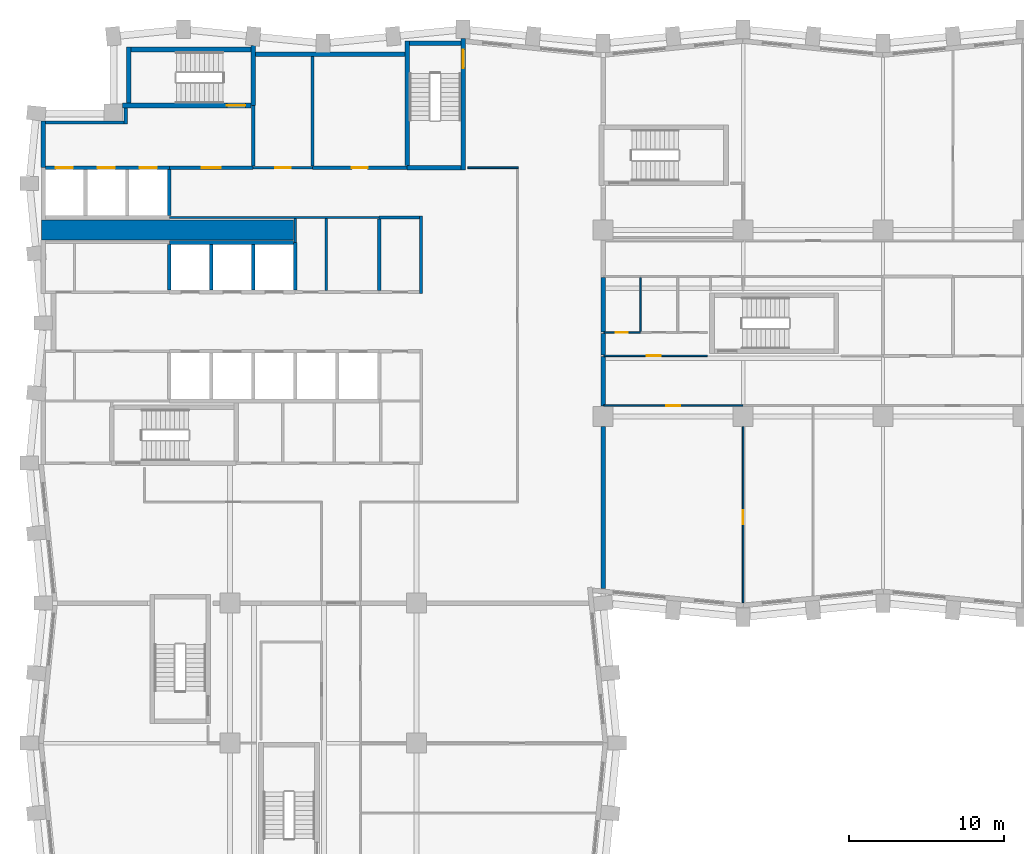
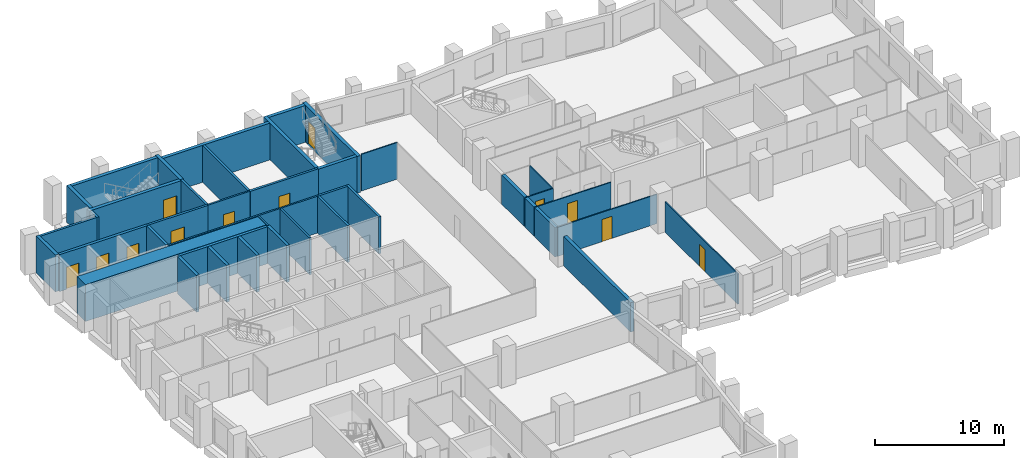
# One storey, part 6 of 11: 41 walls, 12 doors, 12 openings.
"""IFC4 building model written with IfcOpenShell, lengths in metres."""

from ifc_helpers import new_model, si_unit, direction, frame, frame_2d, origin, place, context, subcontext, project, spatial, rectangle, extrude, material, layer, layer_set, type_object, element, fill, save


model = new_model("IFC4")

# Units and contexts
model_context = context("Model", 3, precision=1e-05, world=origin(), true_north=direction((0.0, 1.0)))
body_context = subcontext(model_context, "Body", "Model", "MODEL_VIEW")
ifc_project = project(units=[si_unit("LENGTHUNIT", "METRE"), si_unit("AREAUNIT", "SQUARE_METRE"), si_unit("VOLUMEUNIT", "CUBIC_METRE"), si_unit("PLANEANGLEUNIT", "RADIAN"), si_unit("MASSUNIT", "GRAM", prefix="KILO")], contexts=[model_context])

# Site, building, storey
site_placement = place(None, origin())
site = spatial("IfcSite", under=ifc_project, at=site_placement, CompositionType="ELEMENT")
building_placement = place(site_placement, origin())
building = spatial("IfcBuilding", under=site, at=building_placement, Name="Brondeck Convention Tower", CompositionType="ELEMENT")
storey_placement = place(building_placement, frame((0.0, 0.0, 92.300048828125)))
storey = spatial("IfcBuildingStorey", under=building, at=storey_placement, Name="L21", CompositionType="ELEMENT", Elevation=92.300048828125)

# Walls
ifc_material_1 = material(Name="Concrete compartment wall C30/37", Category="concrete")
ifc_layer_1 = layer(ifc_material_1, 0.300048828125)
ifc_layer_set_1 = layer_set([ifc_layer_1], Name="Compartment wall 300")
wall_type_1 = type_object("IfcWallType", Name="Compartment wall 300", PredefinedType="PARTITIONING", material=ifc_layer_set_1)
wall_1_placement = place(storey_placement, frame((36.0, 27.924560546875, 0.0), z_axis=(0.0, 0.0, 1.0), x_axis=(0.0, 1.0, 0.0)))
element("IfcWall", 1, at=wall_1_placement, inside=storey, type_object=wall_type_1, Name="FLR-L21-W024", PredefinedType="PARTITIONING", context=body_context, shape_type="SweptSolid", body=[
    extrude(rectangle(XDim=10.42041015625, YDim=0.300048828125, at=frame_2d((5.210205078125, 0.0))), origin(), (0.0, 0.0, 1.0), 2.780029296875),
])
wall_2_placement = place(storey_placement, frame((36.0, 39.669921875, 0.0), z_axis=(0.0, 0.0, 1.0), x_axis=(0.0, 1.0, 0.0)))
element("IfcWall", 2, at=wall_2_placement, inside=storey, type_object=wall_type_1, Name="FLR-L21-W038", PredefinedType="PARTITIONING", context=body_context, shape_type="SweptSolid", body=[
    extrude(rectangle(XDim=3.18017578125, YDim=0.300048828125, at=frame_2d((1.590087890625, 0.0))), origin(), (0.0, 0.0, 1.0), 2.780029296875),
])
wall_3_placement = place(storey_placement, frame((36.0, 42.949951171875, 0.0), z_axis=(0.0, 0.0, 1.0), x_axis=(0.0, 1.0, 0.0)))
element("IfcWall", 3, at=wall_3_placement, inside=storey, type_object=wall_type_1, Name="FLR-L21-W045", PredefinedType="PARTITIONING", context=body_context, shape_type="SweptSolid", body=[
    extrude(rectangle(XDim=1.400146484375, YDim=0.300048828125, at=frame_2d((0.7001953125, 0.0))), origin(), (0.0, 0.0, 1.0), 2.780029296875),
])
wall_4_placement = place(storey_placement, frame((36.0, 44.449951171875, 0.0), z_axis=(0.0, 0.0, 1.0), x_axis=(0.0, 1.0, 0.0)))
element("IfcWall", 4, at=wall_4_placement, inside=storey, type_object=wall_type_1, Name="FLR-L21-W051", PredefinedType="PARTITIONING", context=body_context, shape_type="SweptSolid", body=[
    extrude(rectangle(XDim=3.5, YDim=0.300048828125, at=frame_2d((1.75, 0.0))), origin(), (0.0, 0.0, 1.0), 2.780029296875),
])
ifc_material_2 = material(Name="Concrete C70/85", Category="concrete")
ifc_layer_2 = layer(ifc_material_2, 0.199951171875)
ifc_layer_set_2 = layer_set([ifc_layer_2], Name="Core beam-seat wall 200 Concrete C70/85")
wall_type_2 = type_object("IfcWallType", Name="Core beam-seat wall 200 Concrete C70/85", PredefinedType="SHEAR", material=ifc_layer_set_2)
wall_5_placement = place(storey_placement, frame((24.300048828125, 46.89990234375, 0.0), z_axis=(0.0, 0.0, 1.0), x_axis=(0.0, 1.0, 0.0)))
element("IfcWall", 5, at=wall_5_placement, inside=storey, type_object=wall_type_2, Name="L21 core wall", PredefinedType="SHEAR", context=body_context, shape_type="SweptSolid", body=[
    extrude(rectangle(XDim=5.0, YDim=0.199951171875, at=frame_2d((2.5, 0.0))), origin(), (0.0, 0.0, 1.0), 3.5),
])
ifc_layer_3 = layer(ifc_material_2, 0.300048828125)
ifc_layer_set_3 = layer_set([ifc_layer_3], Name="Core outer wall 300 Concrete C70/85")
wall_type_3 = type_object("IfcWallType", Name="Core outer wall 300 Concrete C70/85", PredefinedType="SHEAR", material=ifc_layer_set_3)
wall_6_placement = place(storey_placement, frame((13.64990234375, 62.300048828125, 0.0), z_axis=(0.0, 0.0, 1.0), x_axis=(1.0, 0.0, 0.0)))
element("IfcWall", 6, at=wall_6_placement, inside=storey, type_object=wall_type_3, Name="L21 core wall", PredefinedType="SHEAR", context=body_context, shape_type="SweptSolid", body=[
    extrude(rectangle(XDim=9.60009765625, YDim=0.300048828125, at=frame_2d((4.800048828125, 0.0))), origin(), (0.0, 0.0, 1.0), 3.5),
])
wall_7_placement = place(storey_placement, frame((0.0, 55.0, 0.0), z_axis=(0.0, 0.0, 1.0), x_axis=(0.0, 1.0, 0.0)))
element("IfcWall", 7, at=wall_7_placement, inside=storey, type_object=wall_type_3, Name="L21 core wall", PredefinedType="SHEAR", context=body_context, shape_type="SweptSolid", body=[
    extrude(rectangle(XDim=3.0, YDim=0.300048828125, at=frame_2d((1.5, 0.0))), origin(), (0.0, 0.0, 1.0), 3.5),
])
ifc_material_3 = material(Name="Fire-rated gypsum board partition")
ifc_layer_4 = layer(ifc_material_3, 0.14990234375)
ifc_layer_set_4 = layer_set([ifc_layer_4], Name="Core partition 150 EI 60")
wall_type_4 = type_object("IfcWallType", Name="Core partition 150 EI 60", PredefinedType="PARTITIONING", material=ifc_layer_set_4)
wall_8_placement = place(storey_placement, frame((8.10009765625, 51.800048828125, 0.0), z_axis=(0.0, 0.0, 1.0), x_axis=(1.0, 0.0, 0.0)))
element("IfcWall", 8, at=wall_8_placement, inside=storey, type_object=wall_type_4, Name="L21 core wall", PredefinedType="PARTITIONING", context=body_context, shape_type="SweptSolid", body=[
    extrude(rectangle(XDim=13.5, YDim=0.14990234375, at=frame_2d((6.75, 0.0))), origin(), (0.0, 0.0, 1.0), 3.5),
])

# Wall, opening, door
wall_9_placement = place(storey_placement, frame((13.5, 55.0, 0.0), z_axis=(0.0, 0.0, 1.0), x_axis=(1.0, 0.0, 0.0)))
wall_9 = element("IfcWall", 9, at=wall_9_placement, inside=storey, type_object=wall_type_4, Name="L21 core wall", PredefinedType="PARTITIONING", context=body_context, shape_type="SweptSolid", body=[
    extrude(rectangle(XDim=3.800048828125, YDim=0.14990234375, at=frame_2d((1.89990234375, 0.0))), origin(), (0.0, 0.0, 1.0), 3.5),
])
opening_1_placement = place(wall_9_placement, frame((1.39990234375, 0.0, 0.0)))
opening_1 = element("IfcOpeningElement", 10, at=opening_1_placement, cuts=wall_9, Name="Opening C14-15", PredefinedType="OPENING", context=body_context, shape_type="SweptSolid", body=[
    extrude(rectangle(XDim=1.0, YDim=2.10009765625, at=frame_2d((0.5, 1.050048828125))), frame((0.0, 0.0849609375, 0.0), z_axis=(0.0, -1.0, 0.0), x_axis=(1.0, 0.0, 0.0)), (0.0, 0.0, 1.0), 0.169921875),
])
ifc_material_4 = material(Name="Steel fire door", Category="steel")
door_type_1 = type_object("IfcDoorType", Name="Room door 1000x2100 EI 60", OperationType="NOTDEFINED", PredefinedType="DOOR", material=ifc_material_4)
door_1_placement = place(opening_1_placement, origin())
door_1 = element("IfcDoor", 11, at=door_1_placement, inside=storey, type_object=door_type_1, Name="L21 Room door NE-1", OperationType="SINGLE_SWING_LEFT", OverallHeight=2.10009765625, OverallWidth=1.0, PredefinedType="DOOR", context=body_context, shape_type="SweptSolid", body=[
    extrude(rectangle(XDim=1.0, YDim=2.10009765625, at=frame_2d((0.5, 1.050048828125))), frame((0.0, 0.02490234375, 0.0), z_axis=(0.0, -1.0, 0.0), x_axis=(1.0, 0.0, 0.0)), (0.0, 0.0, 1.0), 0.050048828125),
])
fill(opening_1, door_1)

# Walls
wall_10_placement = place(storey_placement, frame((16.199951171875, 50.199951171875, 0.0), z_axis=(0.0, 0.0, 1.0), x_axis=(0.0, 1.0, 0.0)))
element("IfcWall", 12, at=wall_10_placement, inside=storey, type_object=wall_type_4, Name="L21 core wall", PredefinedType="PARTITIONING", context=body_context, shape_type="SweptSolid", body=[
    extrude(rectangle(XDim=1.525146484375, YDim=0.14990234375, at=frame_2d((0.7626953125, 0.0))), origin(), (0.0, 0.0, 1.0), 3.5),
])
wall_11_placement = place(storey_placement, frame((18.199951171875, 47.10009765625, 0.0), z_axis=(0.0, 0.0, 1.0), x_axis=(0.0, 1.0, 0.0)))
element("IfcWall", 13, at=wall_11_placement, inside=storey, type_object=wall_type_4, Name="L21 core wall", PredefinedType="PARTITIONING", context=body_context, shape_type="SweptSolid", body=[
    extrude(rectangle(XDim=4.625, YDim=0.14990234375, at=frame_2d((2.3125, 0.0))), origin(), (0.0, 0.0, 1.0), 3.5),
])
ifc_layer_5 = layer(ifc_material_2, 1.300048828125)
ifc_layer_set_5 = layer_set([ifc_layer_5], Name="Core shear wall 1300 Concrete C70/85")
wall_type_5 = type_object("IfcWallType", Name="Core shear wall 1300 Concrete C70/85", PredefinedType="SHEAR", material=ifc_layer_set_5)
wall_12_placement = place(storey_placement, frame((-0.125, 51.0, 0.0), z_axis=(0.0, 0.0, 1.0), x_axis=(1.0, 0.0, 0.0)))
element("IfcWall", 14, at=wall_12_placement, inside=storey, type_object=wall_type_5, Name="L21 core wall", PredefinedType="SHEAR", context=body_context, shape_type="SweptSolid", body=[
    extrude(rectangle(XDim=16.22509765625, YDim=1.300048828125, at=frame_2d((8.112548828125, 0.0))), origin(), (0.0, 0.0, 1.0), 3.5),
])

# Wall, opening, door
ifc_layer_6 = layer(ifc_material_3, 0.199951171875)
ifc_layer_set_6 = layer_set([ifc_layer_6], Name="Firefighting lobby wall 200 EI 120")
wall_type_6 = type_object("IfcWallType", Name="Firefighting lobby wall 200 EI 120", PredefinedType="PARTITIONING", material=ifc_layer_set_6)
wall_13_placement = place(storey_placement, frame((8.10009765625, 55.0, 0.0), z_axis=(0.0, 0.0, 1.0), x_axis=(1.0, 0.0, 0.0)))
wall_13 = element("IfcWall", 15, at=wall_13_placement, inside=storey, type_object=wall_type_6, Name="L21 core wall", PredefinedType="PARTITIONING", context=body_context, shape_type="SweptSolid", body=[
    extrude(rectangle(XDim=5.39990234375, YDim=0.199951171875, at=frame_2d((2.699951171875, 0.0))), origin(), (0.0, 0.0, 1.0), 3.5),
])
opening_2_placement = place(wall_13_placement, frame((2.10009765625, 0.0, 0.0)))
opening_2 = element("IfcOpeningElement", 16, at=opening_2_placement, cuts=wall_13, Name="Opening C14-01", PredefinedType="OPENING", context=body_context, shape_type="SweptSolid", body=[
    extrude(rectangle(XDim=1.199951171875, YDim=2.199951171875, at=frame_2d((0.60009765625, 1.10009765625))), frame((0.0, 0.10986328125, 0.0), z_axis=(0.0, -1.0, 0.0), x_axis=(1.0, 0.0, 0.0)), (0.0, 0.0, 1.0), 0.219970703125),
])
door_type_2 = type_object("IfcDoorType", Name="Firefighting lobby door 1200x2200 EI 120", OperationType="NOTDEFINED", PredefinedType="DOOR", material=ifc_material_4)
door_2_placement = place(opening_2_placement, origin())
door_2 = element("IfcDoor", 17, at=door_2_placement, inside=storey, type_object=door_type_2, Name="L21 Firefighting lobby door FFL-1", OperationType="SINGLE_SWING_RIGHT", OverallHeight=2.199951171875, OverallWidth=1.199951171875, PredefinedType="DOOR", context=body_context, shape_type="SweptSolid", body=[
    extrude(rectangle(XDim=1.199951171875, YDim=2.199951171875, at=frame_2d((0.60009765625, 1.10009765625))), frame((0.0, 0.02490234375, 0.0), z_axis=(0.0, -1.0, 0.0), x_axis=(1.0, 0.0, 0.0)), (0.0, 0.0, 1.0), 0.050048828125),
])
fill(opening_2, door_2)

# Walls
wall_14_placement = place(storey_placement, frame((0.14990234375, 57.89990234375, 0.0), z_axis=(0.0, 0.0, 1.0), x_axis=(1.0, 0.0, 0.0)))
element("IfcWall", 18, at=wall_14_placement, inside=storey, type_object=wall_type_6, Name="L21 core wall", PredefinedType="PARTITIONING", context=body_context, shape_type="SweptSolid", body=[
    extrude(rectangle(XDim=5.050048828125, YDim=0.199951171875, at=frame_2d((2.52490234375, 0.0))), origin(), (0.0, 0.0, 1.0), 3.5),
])
wall_15_placement = place(storey_placement, frame((5.300048828125, 57.800048828125, 0.0), z_axis=(0.0, 0.0, 1.0), x_axis=(0.0, 1.0, 0.0)))
element("IfcWall", 19, at=wall_15_placement, inside=storey, type_object=wall_type_6, Name="L21 core wall", PredefinedType="PARTITIONING", context=body_context, shape_type="SweptSolid", body=[
    extrude(rectangle(XDim=1.050048828125, YDim=0.199951171875, at=frame_2d((0.52490234375, 0.0))), origin(), (0.0, 0.0, 1.0), 3.5),
])
wall_16_placement = place(storey_placement, frame((13.5, 55.10009765625, 0.0), z_axis=(0.0, 0.0, 1.0), x_axis=(0.0, 1.0, 0.0)))
element("IfcWall", 20, at=wall_16_placement, inside=storey, type_object=wall_type_6, Name="L21 core wall", PredefinedType="PARTITIONING", context=body_context, shape_type="SweptSolid", body=[
    extrude(rectangle(XDim=3.89990234375, YDim=0.199951171875, at=frame_2d((1.949951171875, 0.0))), origin(), (0.0, 0.0, 1.0), 3.5),
])
ifc_layer_7 = layer(ifc_material_2, 0.25)
ifc_layer_set_7 = layer_set([ifc_layer_7], Name="Lift shaft wall 250 Concrete C70/85")
wall_type_7 = type_object("IfcWallType", Name="Lift shaft wall 250 Concrete C70/85", PredefinedType="SHEAR", material=ifc_layer_set_7)
wall_17_placement = place(storey_placement, frame((8.10009765625, 50.199951171875, 0.0), z_axis=(0.0, 0.0, 1.0), x_axis=(1.0, 0.0, 0.0)))
element("IfcWall", 21, at=wall_17_placement, inside=storey, type_object=wall_type_7, Name="L21 core wall", PredefinedType="SHEAR", context=body_context, shape_type="SweptSolid", body=[
    extrude(rectangle(XDim=7.974853515625, YDim=0.25, at=frame_2d((3.9873046875, 0.0))), origin(), (0.0, 0.0, 1.0), 3.5),
])

# Wall, openings, doors
wall_18_placement = place(storey_placement, frame((0.14990234375, 55.0, 0.0), z_axis=(0.0, 0.0, 1.0), x_axis=(1.0, 0.0, 0.0)))
wall_18 = element("IfcWall", 22, at=wall_18_placement, inside=storey, type_object=wall_type_7, Name="L21 core wall", PredefinedType="SHEAR", context=body_context, shape_type="SweptSolid", body=[
    extrude(rectangle(XDim=7.9501953125, YDim=0.25, at=frame_2d((3.97509765625, 0.0))), origin(), (0.0, 0.0, 1.0), 3.5),
])
opening_3_placement = place(wall_18_placement, frame((0.64990234375, 0.0, 0.0)))
opening_3 = element("IfcOpeningElement", 23, at=opening_3_placement, cuts=wall_18, Name="Opening C14-24", PredefinedType="OPENING", context=body_context, shape_type="SweptSolid", body=[
    extrude(rectangle(XDim=1.10009765625, YDim=2.10009765625, at=frame_2d((0.550048828125, 1.050048828125))), frame((0.0, 0.135009765625, 0.0), z_axis=(0.0, -1.0, 0.0), x_axis=(1.0, 0.0, 0.0)), (0.0, 0.0, 1.0), 0.27001953125),
])
opening_4_placement = place(wall_18_placement, frame((3.35009765625, 0.0, 0.0)))
opening_4 = element("IfcOpeningElement", 24, at=opening_4_placement, cuts=wall_18, Name="Opening C14-25", PredefinedType="OPENING", context=body_context, shape_type="SweptSolid", body=[
    extrude(rectangle(XDim=1.10009765625, YDim=2.10009765625, at=frame_2d((0.550048828125, 1.050048828125))), frame((0.0, 0.135009765625, 0.0), z_axis=(0.0, -1.0, 0.0), x_axis=(1.0, 0.0, 0.0)), (0.0, 0.0, 1.0), 0.27001953125),
])
opening_5_placement = place(wall_18_placement, frame((6.050048828125, 0.0, 0.0)))
opening_5 = element("IfcOpeningElement", 25, at=opening_5_placement, cuts=wall_18, Name="Opening C14-26", PredefinedType="OPENING", context=body_context, shape_type="SweptSolid", body=[
    extrude(rectangle(XDim=1.10009765625, YDim=2.10009765625, at=frame_2d((0.550048828125, 1.050048828125))), frame((0.0, 0.135009765625, 0.0), z_axis=(0.0, -1.0, 0.0), x_axis=(1.0, 0.0, 0.0)), (0.0, 0.0, 1.0), 0.27001953125),
])
ifc_material_5 = material(Name="Stainless steel lift door", Category="steel")
door_type_3 = type_object("IfcDoorType", Name="Lift landing door 1100x2100 EI 180", OperationType="DOUBLE_DOOR_SLIDING", PredefinedType="DOOR", material=ifc_material_5)
door_3_placement = place(opening_3_placement, origin())
door_3 = element("IfcDoor", 26, at=door_3_placement, inside=storey, type_object=door_type_3, Name="L21 Lift landing door FF1", OperationType="DOUBLE_DOOR_SLIDING", OverallHeight=2.10009765625, OverallWidth=1.10009765625, PredefinedType="DOOR", context=body_context, shape_type="SweptSolid", body=[
    extrude(rectangle(XDim=1.10009765625, YDim=2.10009765625, at=frame_2d((0.550048828125, 1.050048828125))), frame((0.0, 0.02490234375, 0.0), z_axis=(0.0, -1.0, 0.0), x_axis=(1.0, 0.0, 0.0)), (0.0, 0.0, 1.0), 0.050048828125),
])
fill(opening_3, door_3)
door_4_placement = place(opening_4_placement, origin())
door_4 = element("IfcDoor", 27, at=door_4_placement, inside=storey, type_object=door_type_3, Name="L21 Lift landing door FF2", OperationType="DOUBLE_DOOR_SLIDING", OverallHeight=2.10009765625, OverallWidth=1.10009765625, PredefinedType="DOOR", context=body_context, shape_type="SweptSolid", body=[
    extrude(rectangle(XDim=1.10009765625, YDim=2.10009765625, at=frame_2d((0.550048828125, 1.050048828125))), frame((0.0, 0.02490234375, 0.0), z_axis=(0.0, -1.0, 0.0), x_axis=(1.0, 0.0, 0.0)), (0.0, 0.0, 1.0), 0.050048828125),
])
fill(opening_4, door_4)
door_5_placement = place(opening_5_placement, origin())
door_5 = element("IfcDoor", 28, at=door_5_placement, inside=storey, type_object=door_type_3, Name="L21 Lift landing door FF3", OperationType="DOUBLE_DOOR_SLIDING", OverallHeight=2.10009765625, OverallWidth=1.10009765625, PredefinedType="DOOR", context=body_context, shape_type="SweptSolid", body=[
    extrude(rectangle(XDim=1.10009765625, YDim=2.10009765625, at=frame_2d((0.550048828125, 1.050048828125))), frame((0.0, 0.02490234375, 0.0), z_axis=(0.0, -1.0, 0.0), x_axis=(1.0, 0.0, 0.0)), (0.0, 0.0, 1.0), 0.050048828125),
])
fill(opening_5, door_5)

# Walls
for number, where, z_axis, x_axis, name in (
    (29, (8.10009765625, 47.125, 0.0), (0.0, 0.0, 1.0), (0.0, 1.0, 0.0), "L21 core wall"),
    (30, (8.10009765625, 51.925048828125, 0.0), (0.0, 0.0, 1.0), (0.0, 1.0, 0.0), "L21 core wall"),
    (31, (10.800048828125, 47.125, 0.0), (0.0, 0.0, 1.0), (0.0, 1.0, 0.0), "L21 core wall"),
    (32, (13.5, 47.125, 0.0), (0.0, 0.0, 1.0), (0.0, 1.0, 0.0), "L21 core wall"),
):
    element("IfcWall", number, at=place(storey_placement, frame(where, z_axis=z_axis, x_axis=x_axis)), inside=storey, type_object=wall_type_7, Name=name, PredefinedType="SHEAR", context=body_context, shape_type="SweptSolid", body=[
        extrude(rectangle(XDim=2.949951171875, YDim=0.25, at=frame_2d((1.47509765625, 0.0))), origin(), (0.0, 0.0, 1.0), 3.5),
    ])
wall_19_placement = place(storey_placement, frame((16.199951171875, 47.125, 0.0), z_axis=(0.0, 0.0, 1.0), x_axis=(0.0, 1.0, 0.0)))
element("IfcWall", 33, at=wall_19_placement, inside=storey, type_object=wall_type_7, Name="L21 core wall", PredefinedType="SHEAR", context=body_context, shape_type="SweptSolid", body=[
    extrude(rectangle(XDim=3.074951171875, YDim=0.25, at=frame_2d((1.53759765625, 0.0))), origin(), (0.0, 0.0, 1.0), 3.5),
])
ifc_layer_8 = layer(ifc_material_3, 0.199951171875)
ifc_layer_set_8 = layer_set([ifc_layer_8], Name="Riser wall 200 EI 120")
wall_type_8 = type_object("IfcWallType", Name="Riser wall 200 EI 120", PredefinedType="PARTITIONING", material=ifc_layer_set_8)
wall_20_placement = place(storey_placement, frame((21.60009765625, 51.800048828125, 0.0), z_axis=(0.0, 0.0, 1.0), x_axis=(1.0, 0.0, 0.0)))
element("IfcWall", 34, at=wall_20_placement, inside=storey, type_object=wall_type_8, Name="L21 core wall", PredefinedType="PARTITIONING", context=body_context, shape_type="SweptSolid", body=[
    extrude(rectangle(XDim=2.599853515625, YDim=0.199951171875, at=frame_2d((1.2998046875, 0.0))), origin(), (0.0, 0.0, 1.0), 3.5),
])

# Wall, opening, door
wall_21_placement = place(storey_placement, frame((17.300048828125, 55.0, 0.0), z_axis=(0.0, 0.0, 1.0), x_axis=(1.0, 0.0, 0.0)))
wall_21 = element("IfcWall", 35, at=wall_21_placement, inside=storey, type_object=wall_type_8, Name="L21 core wall", PredefinedType="PARTITIONING", context=body_context, shape_type="SweptSolid", body=[
    extrude(rectangle(XDim=6.099853515625, YDim=0.199951171875, at=frame_2d((3.0498046875, 0.0))), origin(), (0.0, 0.0, 1.0), 3.5),
])
opening_6_placement = place(wall_21_placement, frame((2.550048828125, 0.0, 0.0)))
opening_6 = element("IfcOpeningElement", 36, at=opening_6_placement, cuts=wall_21, Name="Opening C14-16", PredefinedType="OPENING", context=body_context, shape_type="SweptSolid", body=[
    extrude(rectangle(XDim=1.0, YDim=2.10009765625, at=frame_2d((0.5, 1.050048828125))), frame((0.0, 0.10986328125, 0.0), z_axis=(0.0, -1.0, 0.0), x_axis=(1.0, 0.0, 0.0)), (0.0, 0.0, 1.0), 0.219970703125),
])
door_type_4 = type_object("IfcDoorType", Name="Riser door 1000x2100 EI 120", OperationType="NOTDEFINED", PredefinedType="DOOR", material=ifc_material_4)
door_6_placement = place(opening_6_placement, origin())
door_6 = element("IfcDoor", 37, at=door_6_placement, inside=storey, type_object=door_type_4, Name="L21 Riser door NE-2", OperationType="SINGLE_SWING_RIGHT", OverallHeight=2.10009765625, OverallWidth=1.0, PredefinedType="DOOR", context=body_context, shape_type="SweptSolid", body=[
    extrude(rectangle(XDim=1.0, YDim=2.10009765625, at=frame_2d((0.5, 1.050048828125))), frame((0.0, 0.02490234375, 0.0), z_axis=(0.0, -1.0, 0.0), x_axis=(1.0, 0.0, 0.0)), (0.0, 0.0, 1.0), 0.050048828125),
])
fill(opening_6, door_6)

# Walls
wall_22_placement = place(storey_placement, frame((17.300048828125, 55.10009765625, 0.0), z_axis=(0.0, 0.0, 1.0), x_axis=(0.0, 1.0, 0.0)))
element("IfcWall", 38, at=wall_22_placement, inside=storey, type_object=wall_type_8, Name="L21 core wall", PredefinedType="PARTITIONING", context=body_context, shape_type="SweptSolid", body=[
    extrude(rectangle(XDim=7.0498046875, YDim=0.199951171875, at=frame_2d((3.52490234375, 0.0))), origin(), (0.0, 0.0, 1.0), 3.5),
])
wall_23_placement = place(storey_placement, frame((21.60009765625, 47.10009765625, 0.0), z_axis=(0.0, 0.0, 1.0), x_axis=(0.0, 1.0, 0.0)))
element("IfcWall", 39, at=wall_23_placement, inside=storey, type_object=wall_type_8, Name="L21 core wall", PredefinedType="PARTITIONING", context=body_context, shape_type="SweptSolid", body=[
    extrude(rectangle(XDim=4.599853515625, YDim=0.199951171875, at=frame_2d((2.2998046875, 0.0))), origin(), (0.0, 0.0, 1.0), 3.5),
])

# Wall, opening, door
ifc_material_6 = material(Name="Gypsum board partition on steel studs", Category="steel")
ifc_layer_9 = layer(ifc_material_6, 0.10009765625)
ifc_layer_set_9 = layer_set([ifc_layer_9], Name="Room partition 100")
wall_type_9 = type_object("IfcWallType", Name="Room partition 100", PredefinedType="PARTITIONING", material=ifc_layer_set_9)
wall_24_placement = place(storey_placement, frame((45.0, 38.344970703125, 0.0), z_axis=(0.0, 0.0, 1.0), x_axis=(0.0, -1.0, 0.0)))
wall_24 = element("IfcWall", 40, at=wall_24_placement, inside=storey, type_object=wall_type_9, Name="FLR-L21-W029", PredefinedType="PARTITIONING", context=body_context, shape_type="SweptSolid", body=[
    extrude(rectangle(XDim=11.320556640625, YDim=0.10009765625, at=frame_2d((5.66015625, 0.0))), origin(), (0.0, 0.0, 1.0), 2.8798828125),
])
opening_7_placement = place(wall_24_placement, frame((5.3701171875, 0.0, 0.0)))
opening_7 = element("IfcOpeningElement", 41, at=opening_7_placement, cuts=wall_24, Name="Opening OF-A-011", PredefinedType="OPENING", context=body_context, shape_type="SweptSolid", body=[
    extrude(rectangle(XDim=0.89990234375, YDim=2.10009765625, at=frame_2d((0.449951171875, 1.050048828125))), frame((0.0, 0.06005859375, 0.0), z_axis=(0.0, -1.0, 0.0), x_axis=(1.0, 0.0, 0.0)), (0.0, 0.0, 1.0), 0.1201171875),
])
ifc_material_7 = material(Name="Solid timber door leaf", Category="wood")
door_type_5 = type_object("IfcDoorType", Name="Single door 900", OperationType="NOTDEFINED", PredefinedType="DOOR", material=ifc_material_7)
door_7_placement = place(opening_7_placement, origin())
door_7 = element("IfcDoor", 42, at=door_7_placement, inside=storey, type_object=door_type_5, Name="Door OF-A-011", OperationType="SINGLE_SWING_LEFT", OverallHeight=2.10009765625, OverallWidth=0.89990234375, PredefinedType="DOOR", context=body_context, shape_type="SweptSolid", body=[
    extrude(rectangle(XDim=0.89990234375, YDim=2.10009765625, at=frame_2d((0.449951171875, 1.050048828125))), frame((0.0, 0.02490234375, 0.0), z_axis=(0.0, -1.0, 0.0), x_axis=(1.0, 0.0, 0.0)), (0.0, 0.0, 1.0), 0.050048828125),
])
fill(opening_7, door_7)

wall_25_placement = place(storey_placement, frame((45.0, 39.699951171875, 0.0), z_axis=(0.0, 0.0, 1.0), x_axis=(-1.0, 0.0, 0.0)))
wall_25 = element("IfcWall", 43, at=wall_25_placement, inside=storey, type_object=wall_type_9, Name="FLR-L21-W033", PredefinedType="PARTITIONING", context=body_context, shape_type="SweptSolid", body=[
    extrude(rectangle(XDim=8.949951171875, YDim=0.10009765625, at=frame_2d((4.47509765625, 0.0))), origin(), (0.0, 0.0, 1.0), 2.780029296875),
])
opening_8_placement = place(wall_25_placement, frame((4.050048828125, 0.0, 0.0)))
opening_8 = element("IfcOpeningElement", 44, at=opening_8_placement, cuts=wall_25, Name="Opening OF-A-010", PredefinedType="OPENING", context=body_context, shape_type="SweptSolid", body=[
    extrude(rectangle(XDim=0.89990234375, YDim=2.10009765625, at=frame_2d((0.449951171875, 1.050048828125))), frame((0.0, 0.06005859375, 0.0), z_axis=(0.0, -1.0, 0.0), x_axis=(1.0, 0.0, 0.0)), (0.0, 0.0, 1.0), 0.1201171875),
])
door_8_placement = place(opening_8_placement, origin())
door_8 = element("IfcDoor", 45, at=door_8_placement, inside=storey, type_object=door_type_5, Name="Door OF-A-010", OperationType="SINGLE_SWING_LEFT", OverallHeight=2.10009765625, OverallWidth=0.89990234375, PredefinedType="DOOR", context=body_context, shape_type="SweptSolid", body=[
    extrude(rectangle(XDim=0.89990234375, YDim=2.10009765625, at=frame_2d((0.449951171875, 1.050048828125))), frame((0.0, 0.02490234375, 0.0), z_axis=(0.0, -1.0, 0.0), x_axis=(1.0, 0.0, 0.0)), (0.0, 0.0, 1.0), 0.050048828125),
])
fill(opening_8, door_8)

wall_26_placement = place(storey_placement, frame((36.050048828125, 42.89990234375, 0.0), z_axis=(0.0, 0.0, 1.0), x_axis=(1.0, 0.0, 0.0)))
wall_26 = element("IfcWall", 46, at=wall_26_placement, inside=storey, type_object=wall_type_9, Name="FLR-L21-W039", PredefinedType="PARTITIONING", context=body_context, shape_type="SweptSolid", body=[
    extrude(rectangle(XDim=6.64990234375, YDim=0.10009765625, at=frame_2d((3.324951171875, 0.0))), origin(), (0.0, 0.0, 1.0), 2.780029296875),
])
opening_9_placement = place(wall_26_placement, frame((2.75, 0.0, 0.0)))
opening_9 = element("IfcOpeningElement", 47, at=opening_9_placement, cuts=wall_26, Name="Opening OF-A-002", PredefinedType="OPENING", context=body_context, shape_type="SweptSolid", body=[
    extrude(rectangle(XDim=0.89990234375, YDim=2.10009765625, at=frame_2d((0.449951171875, 1.050048828125))), frame((0.0, 0.06005859375, 0.0), z_axis=(0.0, -1.0, 0.0), x_axis=(1.0, 0.0, 0.0)), (0.0, 0.0, 1.0), 0.1201171875),
])
door_9_placement = place(opening_9_placement, origin())
door_9 = element("IfcDoor", 48, at=door_9_placement, inside=storey, type_object=door_type_5, Name="Door OF-A-002", OperationType="SINGLE_SWING_LEFT", OverallHeight=2.10009765625, OverallWidth=0.89990234375, PredefinedType="DOOR", context=body_context, shape_type="SweptSolid", body=[
    extrude(rectangle(XDim=0.89990234375, YDim=2.10009765625, at=frame_2d((0.449951171875, 1.050048828125))), frame((0.0, 0.02490234375, 0.0), z_axis=(0.0, -1.0, 0.0), x_axis=(1.0, 0.0, 0.0)), (0.0, 0.0, 1.0), 0.050048828125),
])
fill(opening_9, door_9)

wall_27_placement = place(storey_placement, frame((36.050048828125, 44.39990234375, 0.0), z_axis=(0.0, 0.0, 1.0), x_axis=(1.0, 0.0, 0.0)))
wall_27 = element("IfcWall", 49, at=wall_27_placement, inside=storey, type_object=wall_type_9, Name="FLR-L21-W048", PredefinedType="PARTITIONING", context=body_context, shape_type="SweptSolid", body=[
    extrude(rectangle(XDim=2.349853515625, YDim=0.10009765625, at=frame_2d((1.1748046875, 0.0))), origin(), (0.0, 0.0, 1.0), 2.780029296875),
])
opening_10_placement = place(wall_27_placement, frame((0.75, 0.0, 0.0)))
opening_10 = element("IfcOpeningElement", 50, at=opening_10_placement, cuts=wall_27, Name="Opening OF-A-003", PredefinedType="OPENING", context=body_context, shape_type="SweptSolid", body=[
    extrude(rectangle(XDim=0.800048828125, YDim=2.10009765625, at=frame_2d((0.39990234375, 1.050048828125))), frame((0.0, 0.06005859375, 0.0), z_axis=(0.0, -1.0, 0.0), x_axis=(1.0, 0.0, 0.0)), (0.0, 0.0, 1.0), 0.1201171875),
])
door_type_6 = type_object("IfcDoorType", Name="En-suite door 800", OperationType="NOTDEFINED", PredefinedType="DOOR", material=ifc_material_7)
door_10_placement = place(opening_10_placement, origin())
door_10 = element("IfcDoor", 51, at=door_10_placement, inside=storey, type_object=door_type_6, Name="Door OF-A-003", OperationType="SINGLE_SWING_LEFT", OverallHeight=2.10009765625, OverallWidth=0.800048828125, PredefinedType="DOOR", context=body_context, shape_type="SweptSolid", body=[
    extrude(rectangle(XDim=0.800048828125, YDim=2.10009765625, at=frame_2d((0.39990234375, 1.050048828125))), frame((0.0, 0.02490234375, 0.0), z_axis=(0.0, -1.0, 0.0), x_axis=(1.0, 0.0, 0.0)), (0.0, 0.0, 1.0), 0.050048828125),
])
fill(opening_10, door_10)

# Walls
wall_28_placement = place(storey_placement, frame((38.39990234375, 47.949951171875, 0.0), z_axis=(0.0, 0.0, 1.0), x_axis=(0.0, -1.0, 0.0)))
element("IfcWall", 52, at=wall_28_placement, inside=storey, type_object=wall_type_9, Name="FLR-L21-W053", PredefinedType="PARTITIONING", context=body_context, shape_type="SweptSolid", body=[
    extrude(rectangle(XDim=3.5, YDim=0.10009765625, at=frame_2d((1.75, 0.0))), origin(), (0.0, 0.0, 1.0), 2.780029296875),
])
wall_29_placement = place(storey_placement, frame((27.300048828125, 55.0, 0.0), z_axis=(0.0, 0.0, 1.0), x_axis=(1.0, 0.0, 0.0)))
element("IfcWall", 53, at=wall_29_placement, inside=storey, type_object=wall_type_9, Name="FLR-L21-W078", PredefinedType="PARTITIONING", context=body_context, shape_type="SweptSolid", body=[
    extrude(rectangle(XDim=3.25, YDim=0.10009765625, at=frame_2d((1.625, 0.0))), origin(), (0.0, 0.0, 1.0), 3.47998046875),
])
ifc_layer_10 = layer(ifc_material_2, 0.300048828125)
ifc_layer_set_10 = layer_set([ifc_layer_10], Name="Stair enclosure wall 300 Concrete C70/85")
wall_type_10 = type_object("IfcWallType", Name="Stair enclosure wall 300 Concrete C70/85", PredefinedType="SHEAR", material=ifc_layer_set_10)
wall_30_placement = place(storey_placement, frame((23.39990234375, 55.0, 0.0), z_axis=(0.0, 0.0, 1.0), x_axis=(1.0, 0.0, 0.0)))
element("IfcWall", 54, at=wall_30_placement, inside=storey, type_object=wall_type_10, Name="L21 core wall", PredefinedType="SHEAR", context=body_context, shape_type="SweptSolid", body=[
    extrude(rectangle(XDim=3.4501953125, YDim=0.300048828125, at=frame_2d((1.72509765625, 0.0))), origin(), (0.0, 0.0, 1.0), 3.5),
])

# Wall, opening, door
wall_31_placement = place(storey_placement, frame((5.10009765625, 59.0, 0.0), z_axis=(0.0, 0.0, 1.0), x_axis=(1.0, 0.0, 0.0)))
wall_31 = element("IfcWall", 55, at=wall_31_placement, inside=storey, type_object=wall_type_10, Name="L21 core wall", PredefinedType="SHEAR", context=body_context, shape_type="SweptSolid", body=[
    extrude(rectangle(XDim=8.25, YDim=0.300048828125, at=frame_2d((4.125, 0.0))), origin(), (0.0, 0.0, 1.0), 3.5),
])
opening_11_placement = place(wall_31_placement, frame((6.699951171875, 0.0, 0.0)))
opening_11 = element("IfcOpeningElement", 56, at=opening_11_placement, cuts=wall_31, Name="Opening C14-19", PredefinedType="OPENING", context=body_context, shape_type="SweptSolid", body=[
    extrude(rectangle(XDim=1.199951171875, YDim=2.199951171875, at=frame_2d((0.60009765625, 1.10009765625))), frame((0.0, 0.159912109375, 0.0), z_axis=(0.0, -1.0, 0.0), x_axis=(1.0, 0.0, 0.0)), (0.0, 0.0, 1.0), 0.320068359375),
])
door_type_7 = type_object("IfcDoorType", Name="Stair door 1200x2200 EI 120", OperationType="NOTDEFINED", PredefinedType="DOOR", material=ifc_material_4)
door_11_placement = place(opening_11_placement, origin())
door_11 = element("IfcDoor", 57, at=door_11_placement, inside=storey, type_object=door_type_7, Name="L21 Stair door ST-3", OperationType="SINGLE_SWING_RIGHT", OverallHeight=2.199951171875, OverallWidth=1.199951171875, PredefinedType="DOOR", context=body_context, shape_type="SweptSolid", body=[
    extrude(rectangle(XDim=1.199951171875, YDim=2.199951171875, at=frame_2d((0.60009765625, 1.10009765625))), frame((0.0, 0.02490234375, 0.0), z_axis=(0.0, -1.0, 0.0), x_axis=(1.0, 0.0, 0.0)), (0.0, 0.0, 1.0), 0.050048828125),
])
fill(opening_11, door_11)

# Walls
wall_32_placement = place(storey_placement, frame((5.64990234375, 62.60009765625, 0.0), z_axis=(0.0, 0.0, 1.0), x_axis=(1.0, 0.0, 0.0)))
element("IfcWall", 58, at=wall_32_placement, inside=storey, type_object=wall_type_10, Name="L21 core wall", PredefinedType="SHEAR", context=body_context, shape_type="SweptSolid", body=[
    extrude(rectangle(XDim=7.7001953125, YDim=0.300048828125, at=frame_2d((3.85009765625, 0.0))), origin(), (0.0, 0.0, 1.0), 3.5),
])
wall_33_placement = place(storey_placement, frame((23.550048828125, 63.0, 0.0), z_axis=(0.0, 0.0, 1.0), x_axis=(1.0, 0.0, 0.0)))
element("IfcWall", 59, at=wall_33_placement, inside=storey, type_object=wall_type_10, Name="L21 core wall", PredefinedType="SHEAR", context=body_context, shape_type="SweptSolid", body=[
    extrude(rectangle(XDim=3.300048828125, YDim=0.300048828125, at=frame_2d((1.64990234375, 0.0))), origin(), (0.0, 0.0, 1.0), 3.5),
])
wall_34_placement = place(storey_placement, frame((5.5, 59.14990234375, 0.0), z_axis=(0.0, 0.0, 1.0), x_axis=(0.0, 1.0, 0.0)))
element("IfcWall", 60, at=wall_34_placement, inside=storey, type_object=wall_type_10, Name="L21 core wall", PredefinedType="SHEAR", context=body_context, shape_type="SweptSolid", body=[
    extrude(rectangle(XDim=3.60009765625, YDim=0.300048828125, at=frame_2d((1.800048828125, 0.0))), origin(), (0.0, 0.0, 1.0), 3.5),
])
wall_35_placement = place(storey_placement, frame((13.5, 59.0, 0.0), z_axis=(0.0, 0.0, 1.0), x_axis=(0.0, 1.0, 0.0)))
element("IfcWall", 61, at=wall_35_placement, inside=storey, type_object=wall_type_10, Name="L21 core wall", PredefinedType="SHEAR", context=body_context, shape_type="SweptSolid", body=[
    extrude(rectangle(XDim=3.846923828125, YDim=0.300048828125, at=frame_2d((1.92333984375, 0.0))), origin(), (0.0, 0.0, 1.0), 3.5),
])
wall_36_placement = place(storey_placement, frame((23.39990234375, 55.14990234375, 0.0), z_axis=(0.0, 0.0, 1.0), x_axis=(0.0, 1.0, 0.0)))
element("IfcWall", 62, at=wall_36_placement, inside=storey, type_object=wall_type_10, Name="L21 core wall", PredefinedType="SHEAR", context=body_context, shape_type="SweptSolid", body=[
    extrude(rectangle(XDim=8.0, YDim=0.300048828125, at=frame_2d((4.0, 0.0))), origin(), (0.0, 0.0, 1.0), 3.5),
])

# Wall, opening, door
wall_37_placement = place(storey_placement, frame((27.0, 54.85009765625, 0.0), z_axis=(0.0, 0.0, 1.0), x_axis=(0.0, 1.0, 0.0)))
wall_37 = element("IfcWall", 63, at=wall_37_placement, inside=storey, type_object=wall_type_10, Name="L21 core wall", PredefinedType="SHEAR", context=body_context, shape_type="SweptSolid", body=[
    extrude(rectangle(XDim=8.449951171875, YDim=0.300048828125, at=frame_2d((4.22509765625, 0.0))), origin(), (0.0, 0.0, 1.0), 3.5),
])
opening_12_placement = place(wall_37_placement, frame((6.550048828125, 0.0, 0.0)))
opening_12 = element("IfcOpeningElement", 64, at=opening_12_placement, cuts=wall_37, Name="Opening C14-18", PredefinedType="OPENING", context=body_context, shape_type="SweptSolid", body=[
    extrude(rectangle(XDim=1.199951171875, YDim=2.199951171875, at=frame_2d((0.60009765625, 1.10009765625))), frame((0.0, 0.159912109375, 0.0), z_axis=(0.0, -1.0, 0.0), x_axis=(1.0, 0.0, 0.0)), (0.0, 0.0, 1.0), 0.320068359375),
])
door_type_8 = type_object("IfcDoorType", Name="Stair door 1200x2200 EI 90", OperationType="NOTDEFINED", PredefinedType="DOOR", material=ifc_material_4)
door_12_placement = place(opening_12_placement, origin())
door_12 = element("IfcDoor", 65, at=door_12_placement, inside=storey, type_object=door_type_8, Name="L21 Stair door ST-2", OperationType="SINGLE_SWING_LEFT", OverallHeight=2.199951171875, OverallWidth=1.199951171875, PredefinedType="DOOR", context=body_context, shape_type="SweptSolid", body=[
    extrude(rectangle(XDim=1.199951171875, YDim=2.199951171875, at=frame_2d((0.60009765625, 1.10009765625))), frame((0.0, 0.02490234375, 0.0), z_axis=(0.0, -1.0, 0.0), x_axis=(1.0, 0.0, 0.0)), (0.0, 0.0, 1.0), 0.050048828125),
])
fill(opening_12, door_12)

save(model, "model.ifc")
